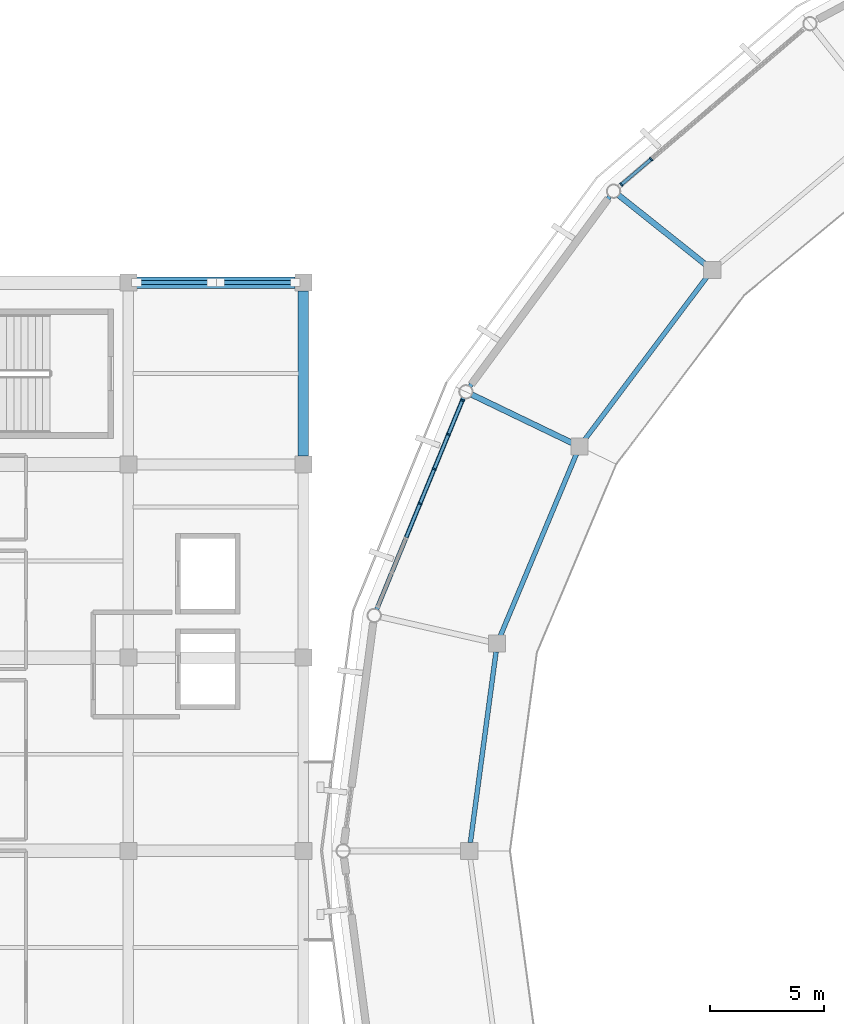
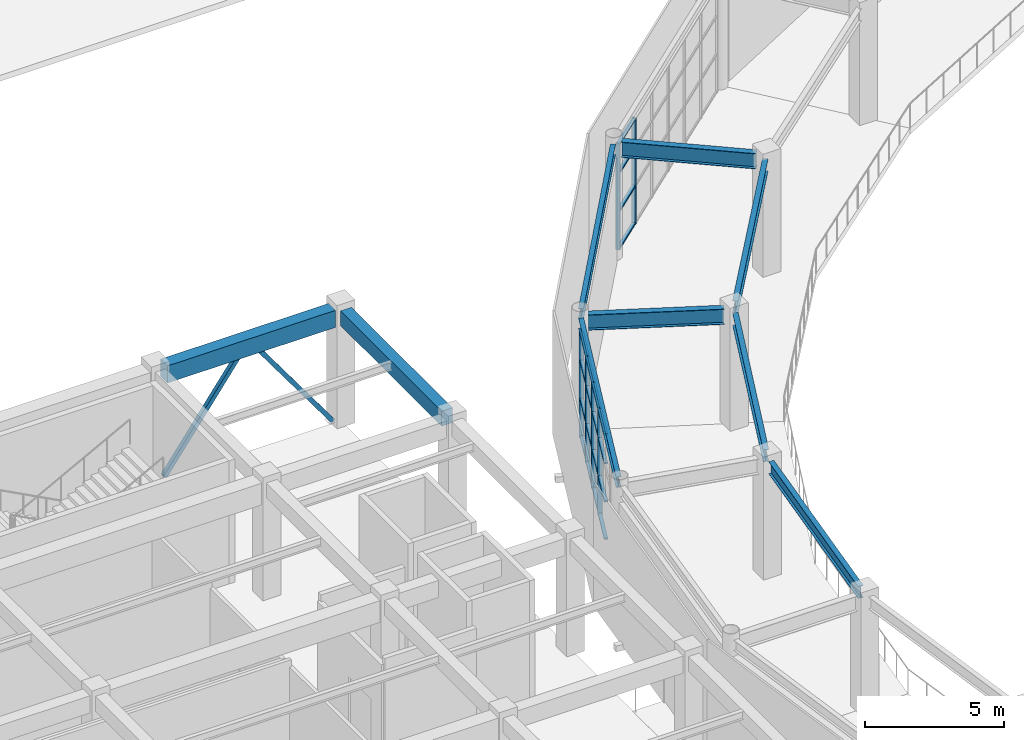
# One storey, part 27 of 70: 28 members, 9 beams, 2 elements without a shape of their own.
"""IFC4 building model written with IfcOpenShell, lengths in metres."""

from ifc_helpers import new_model, si_unit, direction, frame, origin, origin_2d, place, context, subcontext, project, spatial, rectangle, hollow_rectangle, i_section, extrude, material, material_profile, profile_set, type_object, element, aggregate, save


model = new_model("IFC4")

# Units and contexts
model_context = context("Model", 3, precision=1e-05, world=origin(), true_north=direction((0.0, 1.0)))
body_context = subcontext(model_context, "Body", "Model", "MODEL_VIEW")
ifc_project = project(units=[si_unit("LENGTHUNIT", "METRE"), si_unit("AREAUNIT", "SQUARE_METRE"), si_unit("VOLUMEUNIT", "CUBIC_METRE"), si_unit("PLANEANGLEUNIT", "RADIAN"), si_unit("MASSUNIT", "GRAM", prefix="KILO")], contexts=[model_context])

# Site, building, storey
site_placement = place(None, origin())
site = spatial("IfcSite", under=ifc_project, at=site_placement, CompositionType="ELEMENT")
building_placement = place(site_placement, origin())
building = spatial("IfcBuilding", under=site, at=building_placement, Name="Cuetzalor Civic Arena", CompositionType="ELEMENT")
storey_placement = place(building_placement, frame((0.0, 0.0, 21.0)))
storey = spatial("IfcBuildingStorey", under=building, at=storey_placement, Name="L04", CompositionType="ELEMENT", Elevation=21.0)

# Beams
ifc_material_1 = material(Name="Concrete C40/50", Category="concrete")
ifc_material_profile_1 = material_profile(ifc_material_1, rectangle(XDim=0.5, YDim=0.75, at=origin_2d()), Name="RC 500x750")
ifc_profile_set_1 = profile_set([ifc_material_profile_1], Name="Concrete C40/50")
beam_type_1 = type_object("IfcBeamType", Name="ConcreteFrameBeam_500x750", PredefinedType="BEAM", material=ifc_profile_set_1)
beam_1_placement = place(storey_placement, frame((-63.635009765625, 25.0, 4.7451171875), z_axis=(1.0, 0.0, 0.0), x_axis=(0.0, 1.0, 0.0)))
element("IfcBeam", 1, at=beam_1_placement, inside=storey, type_object=beam_type_1, Name="Frame Girder V4W-L04-X1115", PredefinedType="BEAM", context=body_context, shape_type="SweptSolid", body=[
    extrude(rectangle(XDim=0.5, YDim=0.75, at=origin_2d()), origin(), (0.0, 0.0, 1.0), 6.969970703125),
])
ifc_material_2 = material(Name="Concrete C40/50", Category="concrete")
ifc_material_profile_2 = material_profile(ifc_material_2, rectangle(XDim=0.449951171875, YDim=0.64990234375, at=origin_2d()), Name="RC 450x650")
ifc_profile_set_2 = profile_set([ifc_material_profile_2], Name="Concrete C40/50")
beam_type_2 = type_object("IfcBeamType", Name="ConcreteTieBeam_450x650", PredefinedType="BEAM", material=ifc_profile_set_2)
beam_2_placement = place(storey_placement, frame((-56.300048828125, 17.364990234375, 4.794921875), z_axis=(0.0, 1.0, 0.0), x_axis=(-1.0, 0.0, 0.0)))
element("IfcBeam", 2, at=beam_2_placement, inside=storey, type_object=beam_type_2, Name="Frame Girder V4W-L04-Y1147", PredefinedType="BEAM", context=body_context, shape_type="SweptSolid", body=[
    extrude(rectangle(XDim=0.449951171875, YDim=0.64990234375, at=origin_2d()), origin(), (0.0, 0.0, 1.0), 7.27001953125),
])

# Curtain wall, members
ifc_material_3 = material(Name="Anodised dark bronze aluminium and low-E solar glass", Category="aluminium")
curtain_wall_type_1 = type_object("IfcCurtainWallType", Name="UnitisedCW_10550x4650", PredefinedType="USERDEFINED", material=ifc_material_3)
curtain_wall_1_placement = place(storey_placement, origin())
curtain_wall_1 = element("IfcCurtainWall", 3, at=curtain_wall_1_placement, inside=storey, type_object=curtain_wall_type_1, Name="Drum Triangle Foyer Curtain Wall L04-061", ObjectType="UNITISED CURTAIN WALL", PredefinedType="USERDEFINED")
ifc_material_4 = material(Name="Anodised dark bronze aluminium", Category="aluminium")
ifc_material_profile_3 = material_profile(ifc_material_4, rectangle(XDim=0.070068359375, YDim=0.179931640625, at=origin_2d()), Name="ALU MULLION 70x180")
ifc_profile_set_3 = profile_set([ifc_material_profile_3], Name="Anodised dark bronze aluminium")
member_type_1 = type_object("IfcMemberType", Name="CurtainWallMullion_65x180", PredefinedType="MULLION", material=ifc_profile_set_3)
member_1_placement = place(storey_placement, frame((-42.308837890625, 29.313720703125, 0.0), z_axis=(0.0, 0.0, 1.0), x_axis=(0.760677142663, 0.64913040649, 0.0)))
member_1 = element("IfcMember", 4, at=member_1_placement, type_object=member_type_1, Name="CW-10 mullion 1", PredefinedType="MULLION", context=body_context, shape_type="SweptSolid", body=[
    extrude(rectangle(XDim=0.070068359375, YDim=0.179931640625, at=origin_2d()), origin(), (0.0, 0.0, 1.0), 4.653076171875),
])
member_2_placement = place(storey_placement, frame((-41.00048828125, 30.43017578125, 0.0), z_axis=(0.0, 0.0, 1.0), x_axis=(0.760677142663, 0.64913040649, 0.0)))
member_2 = element("IfcMember", 5, at=member_2_placement, type_object=member_type_1, Name="CW-10 mullion 2", PredefinedType="MULLION", context=body_context, shape_type="SweptSolid", body=[
    extrude(rectangle(XDim=0.070068359375, YDim=0.179931640625, at=origin_2d()), origin(), (0.0, 0.0, 1.0), 4.653076171875),
])

ifc_material_5 = material(Name="Anodised dark bronze aluminium and low-E solar glass", Category="aluminium")
curtain_wall_type_2 = type_object("IfcCurtainWallType", Name="UnitisedCW_9850x4650", PredefinedType="USERDEFINED", material=ifc_material_5)
curtain_wall_2_placement = place(storey_placement, origin())
curtain_wall_2 = element("IfcCurtainWall", 6, at=curtain_wall_2_placement, inside=storey, type_object=curtain_wall_type_2, Name="Drum Triangle Foyer Curtain Wall L04-062", ObjectType="UNITISED CURTAIN WALL", PredefinedType="USERDEFINED")
member_3_placement = place(storey_placement, frame((-51.1650390625, 15.27783203125, 0.0), z_axis=(0.0, 0.0, 1.0), x_axis=(0.379391428583, 0.925236263836, 0.0)))
member_3 = element("IfcMember", 7, at=member_3_placement, type_object=member_type_1, Name="CW-11 mullion 4", PredefinedType="MULLION", context=body_context, shape_type="SweptSolid", body=[
    extrude(rectangle(XDim=0.070068359375, YDim=0.179931640625, at=origin_2d()), origin(), (0.0, 0.0, 1.0), 4.653076171875),
])
member_4_placement = place(storey_placement, frame((-50.540771484375, 16.800537109375, 0.0), z_axis=(0.0, 0.0, 1.0), x_axis=(0.379391428583, 0.925236263836, 0.0)))
member_4 = element("IfcMember", 8, at=member_4_placement, type_object=member_type_1, Name="CW-11 mullion 5", PredefinedType="MULLION", context=body_context, shape_type="SweptSolid", body=[
    extrude(rectangle(XDim=0.070068359375, YDim=0.179931640625, at=origin_2d()), origin(), (0.0, 0.0, 1.0), 4.653076171875),
])
member_5_placement = place(storey_placement, frame((-49.916259765625, 18.3232421875, 0.0), z_axis=(0.0, 0.0, 1.0), x_axis=(0.379391428583, 0.925236263836, 0.0)))
member_5 = element("IfcMember", 9, at=member_5_placement, type_object=member_type_1, Name="CW-11 mullion 6", PredefinedType="MULLION", context=body_context, shape_type="SweptSolid", body=[
    extrude(rectangle(XDim=0.070068359375, YDim=0.179931640625, at=origin_2d()), origin(), (0.0, 0.0, 1.0), 4.653076171875),
])
member_6_placement = place(storey_placement, frame((-49.30517578125, 19.8134765625, 0.0), z_axis=(0.0, 0.0, 1.0), x_axis=(0.379391428583, 0.925236263836, 0.0)))
member_6 = element("IfcMember", 10, at=member_6_placement, type_object=member_type_1, Name="CW-11 mullion 7", PredefinedType="MULLION", context=body_context, shape_type="SweptSolid", body=[
    extrude(rectangle(XDim=0.070068359375, YDim=0.179931640625, at=origin_2d()), origin(), (0.0, 0.0, 1.0), 4.653076171875),
])

# Member
ifc_material_6 = material(Name="Anodised dark bronze aluminium", Category="aluminium")
ifc_material_profile_4 = material_profile(ifc_material_6, rectangle(XDim=0.139892578125, YDim=0.070068359375, at=origin_2d()), Name="ALU TRANSOM 70x140")
ifc_profile_set_4 = profile_set([ifc_material_profile_4], Name="Anodised dark bronze aluminium")
member_type_2 = type_object("IfcMemberType", Name="CurtainWallTransom_65x140", PredefinedType="USERDEFINED", material=ifc_profile_set_4)
member_7_placement = place(storey_placement, frame((-42.2822265625, 29.33642578125, 0.034912109375), z_axis=(0.760685671195, 0.64912041228, 0.0), x_axis=(-0.64912041228, 0.760685671195, 0.0)))
member_7 = element("IfcMember", 11, at=member_7_placement, type_object=member_type_2, Name="CW-10 transom 1.1", ObjectType="TRANSOM", PredefinedType="USERDEFINED", context=body_context, shape_type="SweptSolid", body=[
    extrude(rectangle(XDim=0.139892578125, YDim=0.070068359375, at=origin_2d()), origin(), (0.0, 0.0, 1.0), 1.64990234375),
])

member_8_placement = place(storey_placement, frame((-42.2822265625, 29.33642578125, 1.675048828125), z_axis=(0.760685671195, 0.64912041228, 0.0), x_axis=(-0.64912041228, 0.760685671195, 0.0)))
member_8 = element("IfcMember", 12, at=member_8_placement, type_object=member_type_2, Name="CW-10 transom 1.2", ObjectType="TRANSOM", PredefinedType="USERDEFINED", context=body_context, shape_type="SweptSolid", body=[
    extrude(rectangle(XDim=0.139892578125, YDim=0.070068359375, at=origin_2d()), origin(), (0.0, 0.0, 1.0), 1.64990234375),
])

member_9_placement = place(storey_placement, frame((-42.2822265625, 29.33642578125, 3.35009765625), z_axis=(0.760685671195, 0.64912041228, 0.0), x_axis=(-0.64912041228, 0.760685671195, 0.0)))
member_9 = element("IfcMember", 13, at=member_9_placement, type_object=member_type_2, Name="CW-10 transom 1.3", ObjectType="TRANSOM", PredefinedType="USERDEFINED", context=body_context, shape_type="SweptSolid", body=[
    extrude(rectangle(XDim=0.139892578125, YDim=0.070068359375, at=origin_2d()), origin(), (0.0, 0.0, 1.0), 1.64990234375),
])

member_10_placement = place(storey_placement, frame((-42.2822265625, 29.33642578125, 4.617919921875), z_axis=(0.760685671195, 0.64912041228, 0.0), x_axis=(-0.64912041228, 0.760685671195, 0.0)))
member_10 = element("IfcMember", 14, at=member_10_placement, type_object=member_type_2, Name="CW-10 transom 1.4", ObjectType="TRANSOM", PredefinedType="USERDEFINED", context=body_context, shape_type="SweptSolid", body=[
    extrude(rectangle(XDim=0.139892578125, YDim=0.070068359375, at=origin_2d()), origin(), (0.0, 0.0, 1.0), 1.64990234375),
])

aggregate(curtain_wall_1, [member_1, member_2, member_7, member_8, member_9, member_10])

member_11_placement = place(storey_placement, frame((-51.776123046875, 13.78759765625, 0.034912109375), z_axis=(0.379338688632, 0.925257888, 0.0), x_axis=(-0.925257888, 0.379338688632, 0.0)))
member_11 = element("IfcMember", 15, at=member_11_placement, type_object=member_type_2, Name="CW-11 transom 3.1", ObjectType="TRANSOM", PredefinedType="USERDEFINED", context=body_context, shape_type="SweptSolid", body=[
    extrude(rectangle(XDim=0.139892578125, YDim=0.070068359375, at=origin_2d()), origin(), (0.0, 0.0, 1.0), 1.575439453125),
])

member_12_placement = place(storey_placement, frame((-51.776123046875, 13.78759765625, 1.675048828125), z_axis=(0.379338688632, 0.925257888, 0.0), x_axis=(-0.925257888, 0.379338688632, 0.0)))
member_12 = element("IfcMember", 16, at=member_12_placement, type_object=member_type_2, Name="CW-11 transom 3.2", ObjectType="TRANSOM", PredefinedType="USERDEFINED", context=body_context, shape_type="SweptSolid", body=[
    extrude(rectangle(XDim=0.139892578125, YDim=0.070068359375, at=origin_2d()), origin(), (0.0, 0.0, 1.0), 1.575439453125),
])

member_13_placement = place(storey_placement, frame((-51.776123046875, 13.78759765625, 3.35009765625), z_axis=(0.379338688632, 0.925257888, 0.0), x_axis=(-0.925257888, 0.379338688632, 0.0)))
member_13 = element("IfcMember", 17, at=member_13_placement, type_object=member_type_2, Name="CW-11 transom 3.3", ObjectType="TRANSOM", PredefinedType="USERDEFINED", context=body_context, shape_type="SweptSolid", body=[
    extrude(rectangle(XDim=0.139892578125, YDim=0.070068359375, at=origin_2d()), origin(), (0.0, 0.0, 1.0), 1.575439453125),
])

member_14_placement = place(storey_placement, frame((-51.776123046875, 13.78759765625, 4.617919921875), z_axis=(0.379338688632, 0.925257888, 0.0), x_axis=(-0.925257888, 0.379338688632, 0.0)))
member_14 = element("IfcMember", 18, at=member_14_placement, type_object=member_type_2, Name="CW-11 transom 3.4", ObjectType="TRANSOM", PredefinedType="USERDEFINED", context=body_context, shape_type="SweptSolid", body=[
    extrude(rectangle(XDim=0.139892578125, YDim=0.070068359375, at=origin_2d()), origin(), (0.0, 0.0, 1.0), 1.575439453125),
])

member_15_placement = place(storey_placement, frame((-51.15185546875, 15.310302734375, 0.034912109375), z_axis=(0.37947133734, 0.925203493367, 0.0), x_axis=(-0.925203493367, 0.37947133734, 0.0)))
member_15 = element("IfcMember", 19, at=member_15_placement, type_object=member_type_2, Name="CW-11 transom 4.1", ObjectType="TRANSOM", PredefinedType="USERDEFINED", context=body_context, shape_type="SweptSolid", body=[
    extrude(rectangle(XDim=0.139892578125, YDim=0.070068359375, at=origin_2d()), origin(), (0.0, 0.0, 1.0), 1.57568359375),
])

member_16_placement = place(storey_placement, frame((-51.15185546875, 15.310302734375, 1.675048828125), z_axis=(0.37947133734, 0.925203493367, 0.0), x_axis=(-0.925203493367, 0.37947133734, 0.0)))
member_16 = element("IfcMember", 20, at=member_16_placement, type_object=member_type_2, Name="CW-11 transom 4.2", ObjectType="TRANSOM", PredefinedType="USERDEFINED", context=body_context, shape_type="SweptSolid", body=[
    extrude(rectangle(XDim=0.139892578125, YDim=0.070068359375, at=origin_2d()), origin(), (0.0, 0.0, 1.0), 1.57568359375),
])

member_17_placement = place(storey_placement, frame((-51.15185546875, 15.310302734375, 3.35009765625), z_axis=(0.37947133734, 0.925203493367, 0.0), x_axis=(-0.925203493367, 0.37947133734, 0.0)))
member_17 = element("IfcMember", 21, at=member_17_placement, type_object=member_type_2, Name="CW-11 transom 4.3", ObjectType="TRANSOM", PredefinedType="USERDEFINED", context=body_context, shape_type="SweptSolid", body=[
    extrude(rectangle(XDim=0.139892578125, YDim=0.070068359375, at=origin_2d()), origin(), (0.0, 0.0, 1.0), 1.57568359375),
])

member_18_placement = place(storey_placement, frame((-51.15185546875, 15.310302734375, 4.617919921875), z_axis=(0.37947133734, 0.925203493367, 0.0), x_axis=(-0.925203493367, 0.37947133734, 0.0)))
member_18 = element("IfcMember", 22, at=member_18_placement, type_object=member_type_2, Name="CW-11 transom 4.4", ObjectType="TRANSOM", PredefinedType="USERDEFINED", context=body_context, shape_type="SweptSolid", body=[
    extrude(rectangle(XDim=0.139892578125, YDim=0.070068359375, at=origin_2d()), origin(), (0.0, 0.0, 1.0), 1.57568359375),
])

member_19_placement = place(storey_placement, frame((-50.52734375, 16.832763671875, 0.034912109375), z_axis=(0.379284307452, 0.925280181416, 0.0), x_axis=(-0.925280181416, 0.379284307452, 0.0)))
member_19 = element("IfcMember", 23, at=member_19_placement, type_object=member_type_2, Name="CW-11 transom 5.1", ObjectType="TRANSOM", PredefinedType="USERDEFINED", context=body_context, shape_type="SweptSolid", body=[
    extrude(rectangle(XDim=0.139892578125, YDim=0.070068359375, at=origin_2d()), origin(), (0.0, 0.0, 1.0), 1.57568359375),
])

member_20_placement = place(storey_placement, frame((-50.52734375, 16.832763671875, 1.675048828125), z_axis=(0.379284307452, 0.925280181416, 0.0), x_axis=(-0.925280181416, 0.379284307452, 0.0)))
member_20 = element("IfcMember", 24, at=member_20_placement, type_object=member_type_2, Name="CW-11 transom 5.2", ObjectType="TRANSOM", PredefinedType="USERDEFINED", context=body_context, shape_type="SweptSolid", body=[
    extrude(rectangle(XDim=0.139892578125, YDim=0.070068359375, at=origin_2d()), origin(), (0.0, 0.0, 1.0), 1.57568359375),
])

member_21_placement = place(storey_placement, frame((-50.52734375, 16.832763671875, 3.35009765625), z_axis=(0.379284307452, 0.925280181416, 0.0), x_axis=(-0.925280181416, 0.379284307452, 0.0)))
member_21 = element("IfcMember", 25, at=member_21_placement, type_object=member_type_2, Name="CW-11 transom 5.3", ObjectType="TRANSOM", PredefinedType="USERDEFINED", context=body_context, shape_type="SweptSolid", body=[
    extrude(rectangle(XDim=0.139892578125, YDim=0.070068359375, at=origin_2d()), origin(), (0.0, 0.0, 1.0), 1.57568359375),
])

member_22_placement = place(storey_placement, frame((-50.52734375, 16.832763671875, 4.617919921875), z_axis=(0.379284307452, 0.925280181416, 0.0), x_axis=(-0.925280181416, 0.379284307452, 0.0)))
member_22 = element("IfcMember", 26, at=member_22_placement, type_object=member_type_2, Name="CW-11 transom 5.4", ObjectType="TRANSOM", PredefinedType="USERDEFINED", context=body_context, shape_type="SweptSolid", body=[
    extrude(rectangle(XDim=0.139892578125, YDim=0.070068359375, at=origin_2d()), origin(), (0.0, 0.0, 1.0), 1.57568359375),
])

member_23_placement = place(storey_placement, frame((-49.903076171875, 18.35546875, 0.034912109375), z_axis=(0.379354637702, 0.925251349015, 0.0), x_axis=(-0.925251349015, 0.379354637702, 0.0)))
member_23 = element("IfcMember", 27, at=member_23_placement, type_object=member_type_2, Name="CW-11 transom 6.1", ObjectType="TRANSOM", PredefinedType="USERDEFINED", context=body_context, shape_type="SweptSolid", body=[
    extrude(rectangle(XDim=0.139892578125, YDim=0.070068359375, at=origin_2d()), origin(), (0.0, 0.0, 1.0), 1.540771484375),
])

member_24_placement = place(storey_placement, frame((-49.903076171875, 18.35546875, 1.675048828125), z_axis=(0.379354637702, 0.925251349015, 0.0), x_axis=(-0.925251349015, 0.379354637702, 0.0)))
member_24 = element("IfcMember", 28, at=member_24_placement, type_object=member_type_2, Name="CW-11 transom 6.2", ObjectType="TRANSOM", PredefinedType="USERDEFINED", context=body_context, shape_type="SweptSolid", body=[
    extrude(rectangle(XDim=0.139892578125, YDim=0.070068359375, at=origin_2d()), origin(), (0.0, 0.0, 1.0), 1.540771484375),
])

member_25_placement = place(storey_placement, frame((-49.903076171875, 18.35546875, 3.35009765625), z_axis=(0.379354637702, 0.925251349015, 0.0), x_axis=(-0.925251349015, 0.379354637702, 0.0)))
member_25 = element("IfcMember", 29, at=member_25_placement, type_object=member_type_2, Name="CW-11 transom 6.3", ObjectType="TRANSOM", PredefinedType="USERDEFINED", context=body_context, shape_type="SweptSolid", body=[
    extrude(rectangle(XDim=0.139892578125, YDim=0.070068359375, at=origin_2d()), origin(), (0.0, 0.0, 1.0), 1.540771484375),
])

member_26_placement = place(storey_placement, frame((-49.903076171875, 18.35546875, 4.617919921875), z_axis=(0.379354637702, 0.925251349015, 0.0), x_axis=(-0.925251349015, 0.379354637702, 0.0)))
member_26 = element("IfcMember", 30, at=member_26_placement, type_object=member_type_2, Name="CW-11 transom 6.4", ObjectType="TRANSOM", PredefinedType="USERDEFINED", context=body_context, shape_type="SweptSolid", body=[
    extrude(rectangle(XDim=0.139892578125, YDim=0.070068359375, at=origin_2d()), origin(), (0.0, 0.0, 1.0), 1.540771484375),
])

aggregate(curtain_wall_2, [member_3, member_4, member_5, member_6, member_11, member_12, member_13, member_14, member_15, member_16, member_17, member_18, member_19, member_20, member_21, member_22, member_23, member_24, member_25, member_26])

# Beams
ifc_material_7 = material(Name="Steel S355", Category="steel")
ifc_material_profile_5 = material_profile(ifc_material_7, i_section(OverallWidth=0.18994140625, OverallDepth=0.45703125, WebThickness=0.009033203125, FlangeThickness=0.014404296875, at=origin_2d()), Name="W460x74")
ifc_profile_set_5 = profile_set([ifc_material_profile_5], Name="Steel S355")
beam_type_3 = type_object("IfcBeamType", Name="FacadeSpandrelBeam_W460", PredefinedType="SPANDREL", material=ifc_profile_set_5)
beam_3_placement = place(storey_placement, frame((-42.82080078125, 28.7900390625, 4.8916015625), z_axis=(-0.592928645702, -0.805255003776, 0.0), x_axis=(0.805255003776, -0.592928645702, 0.0)))
element("IfcBeam", 31, at=beam_3_placement, inside=storey, type_object=beam_type_3, Name="Drum Perimeter Spandrel L04-S12", PredefinedType="SPANDREL", context=body_context, shape_type="SweptSolid", body=[
    extrude(i_section(OverallWidth=0.18994140625, OverallDepth=0.45703125, WebThickness=0.009033203125, FlangeThickness=0.014404296875, at=origin_2d()), origin(), (0.0, 0.0, 1.0), 10.380615234375),
])
beam_4_placement = place(storey_placement, frame((-49.2578125, 19.928955078125, 4.8916015625), z_axis=(-0.379398599643, -0.925233323324, 0.0), x_axis=(0.925233323324, -0.379398599643, 0.0)))
element("IfcBeam", 32, at=beam_4_placement, inside=storey, type_object=beam_type_3, Name="Drum Perimeter Spandrel L04-S13", PredefinedType="SPANDREL", context=body_context, shape_type="SweptSolid", body=[
    extrude(i_section(OverallWidth=0.18994140625, OverallDepth=0.45703125, WebThickness=0.009033203125, FlangeThickness=0.014404296875, at=origin_2d()), origin(), (0.0, 0.0, 1.0), 10.053955078125),
])

# Members
ifc_material_8 = material(Name="Steel S355", Category="steel")
ifc_material_profile_6 = material_profile(ifc_material_8, hollow_rectangle(XDim=0.179931640625, YDim=0.179931640625, WallThickness=0.010009765625, at=origin_2d()), Name="RHS 180x180x10")
ifc_profile_set_6 = profile_set([ifc_material_profile_6], Name="Steel S355")
member_type_3 = type_object("IfcMemberType", Name="LateralFrameBrace_RHS180", PredefinedType="BRACE", material=ifc_profile_set_6)
member_27_placement = place(storey_placement, frame((-63.639892578125, 25.0, 0.14990234375), z_axis=(0.58994785106, 0.0, 0.807441349591), x_axis=(0.0, 1.0, 0.0)))
element("IfcMember", 33, at=member_27_placement, inside=storey, type_object=member_type_3, Name="Lateral Chevron Brace V4W-L04-021", PredefinedType="BRACE", context=body_context, shape_type="SweptSolid", body=[
    extrude(hollow_rectangle(XDim=0.179931640625, YDim=0.179931640625, WallThickness=0.010009765625, at=origin_2d()), origin(), (0.0, 0.0, 1.0), 5.6103515625),
])
member_28_placement = place(storey_placement, frame((-56.659912109375, 25.0, 0.14990234375), z_axis=(-0.589976220794, 0.0, 0.807420620803), x_axis=(0.0, -1.0, 0.0)))
element("IfcMember", 34, at=member_28_placement, inside=storey, type_object=member_type_3, Name="Lateral Chevron Brace V4W-L04-022", PredefinedType="BRACE", context=body_context, shape_type="SweptSolid", body=[
    extrude(hollow_rectangle(XDim=0.179931640625, YDim=0.179931640625, WallThickness=0.010009765625, at=origin_2d()), origin(), (0.0, 0.0, 1.0), 5.610595703125),
])

# Beams
ifc_material_9 = material(Name="Steel S355", Category="steel")
ifc_material_profile_7 = material_profile(ifc_material_9, i_section(OverallWidth=0.208984375, OverallDepth=0.532958984375, WebThickness=0.01025390625, FlangeThickness=0.015625, at=origin_2d()), Name="W530x92")
ifc_profile_set_7 = profile_set([ifc_material_profile_7], Name="Steel S355")
beam_type_4 = type_object("IfcBeamType", Name="SteelCollarGirder_W530", PredefinedType="BEAM", material=ifc_profile_set_7)
beam_5_placement = place(storey_placement, frame((-38.531982421875, 25.26708984375, 4.853515625), z_axis=(-0.600491348624, -0.799631252658, 0.0), x_axis=(0.799631252658, -0.600491348624, 0.0)))
element("IfcBeam", 35, at=beam_5_placement, inside=storey, type_object=beam_type_4, Name="Drum Concourse Ring Girder L04-S12", PredefinedType="BEAM", context=body_context, shape_type="SweptSolid", body=[
    extrude(i_section(OverallWidth=0.208984375, OverallDepth=0.532958984375, WebThickness=0.01025390625, FlangeThickness=0.015625, at=origin_2d()), origin(), (0.0, 0.0, 1.0), 8.9814453125),
])
beam_6_placement = place(storey_placement, frame((-44.290283203125, 17.44775390625, 4.853515625), z_axis=(-0.385813116722, -0.922576955579, 0.0), x_axis=(0.922576955579, -0.385813116722, 0.0)))
element("IfcBeam", 36, at=beam_6_placement, inside=storey, type_object=beam_type_4, Name="Drum Concourse Ring Girder L04-S13", PredefinedType="BEAM", context=body_context, shape_type="SweptSolid", body=[
    extrude(i_section(OverallWidth=0.208984375, OverallDepth=0.532958984375, WebThickness=0.01025390625, FlangeThickness=0.015625, at=origin_2d()), origin(), (0.0, 0.0, 1.0), 8.65283203125),
])
beam_7_placement = place(storey_placement, frame((-47.82080078125, 8.756591796875, 4.853515625), z_axis=(-0.13346702922, -0.991053253923, 0.0), x_axis=(0.991053253923, -0.13346702922, 0.0)))
element("IfcBeam", 37, at=beam_7_placement, inside=storey, type_object=beam_type_4, Name="Drum Concourse Ring Girder L04-S14", PredefinedType="BEAM", context=body_context, shape_type="SweptSolid", body=[
    extrude(i_section(OverallWidth=0.208984375, OverallDepth=0.532958984375, WebThickness=0.01025390625, FlangeThickness=0.015625, at=origin_2d()), origin(), (0.0, 0.0, 1.0), 8.465576171875),
])
ifc_material_10 = material(Name="Steel S355", Category="steel")
ifc_material_profile_8 = material_profile(ifc_material_10, i_section(OverallWidth=0.2529296875, OverallDepth=0.677978515625, WebThickness=0.01171875, FlangeThickness=0.016357421875, at=origin_2d()), Name="W690x125")
ifc_profile_set_8 = profile_set([ifc_material_profile_8], Name="Steel S355")
beam_type_5 = type_object("IfcBeamType", Name="SteelPrimaryGirder_W690", PredefinedType="BEAM", material=ifc_profile_set_8)
beam_8_placement = place(storey_placement, frame((-38.59130859375, 25.78759765625, 4.781005859375), z_axis=(-0.781810957258, 0.623515538789, 0.0), x_axis=(-0.623515538789, -0.781810957258, 0.0)))
element("IfcBeam", 38, at=beam_8_placement, inside=storey, type_object=beam_type_5, Name="Drum Radial Girder L04-R12", PredefinedType="BEAM", context=body_context, shape_type="SweptSolid", body=[
    extrude(i_section(OverallWidth=0.2529296875, OverallDepth=0.677978515625, WebThickness=0.01171875, FlangeThickness=0.016357421875, at=origin_2d()), origin(), (0.0, 0.0, 1.0), 4.89990234375),
])
beam_9_placement = place(storey_placement, frame((-44.4716796875, 17.9453125, 4.781005859375), z_axis=(-0.900964883231, 0.433892013275, 0.0), x_axis=(-0.433892013275, -0.900964883231, 0.0)))
element("IfcBeam", 39, at=beam_9_placement, inside=storey, type_object=beam_type_5, Name="Drum Radial Girder L04-R13", PredefinedType="BEAM", context=body_context, shape_type="SweptSolid", body=[
    extrude(i_section(OverallWidth=0.2529296875, OverallDepth=0.677978515625, WebThickness=0.01171875, FlangeThickness=0.016357421875, at=origin_2d()), origin(), (0.0, 0.0, 1.0), 4.900390625),
])

save(model, "model.ifc")
